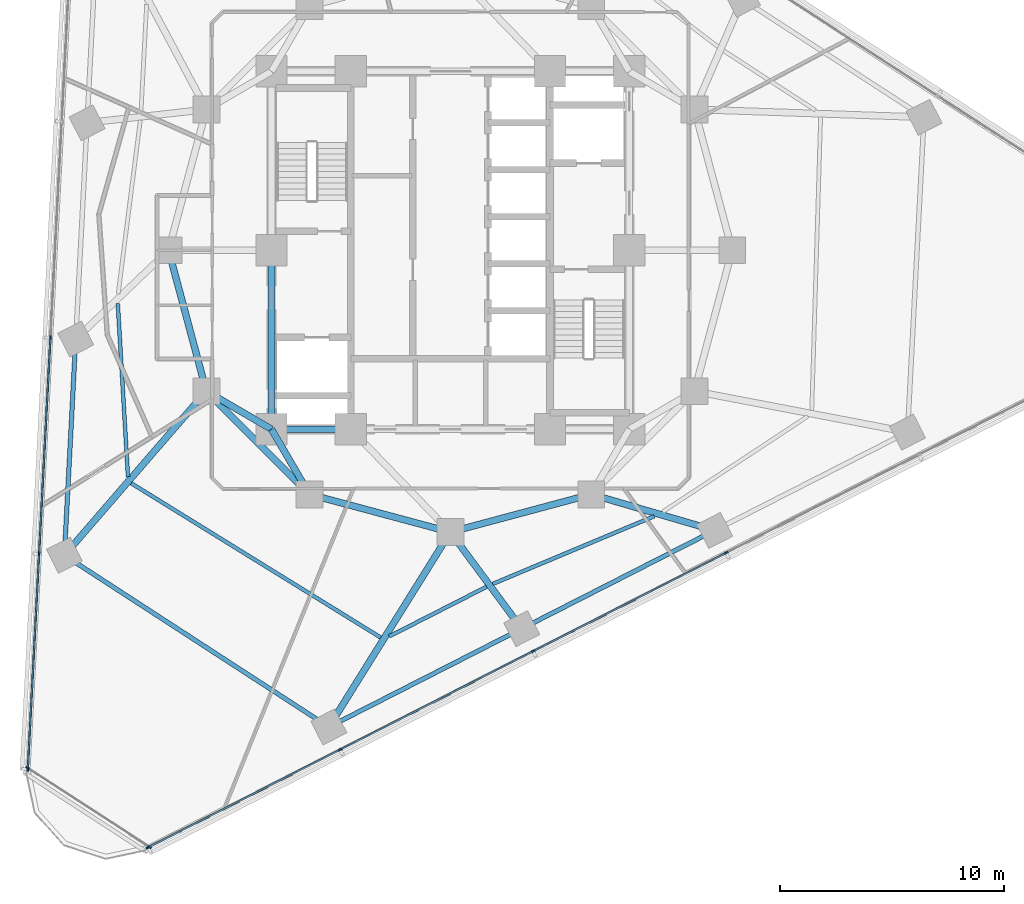
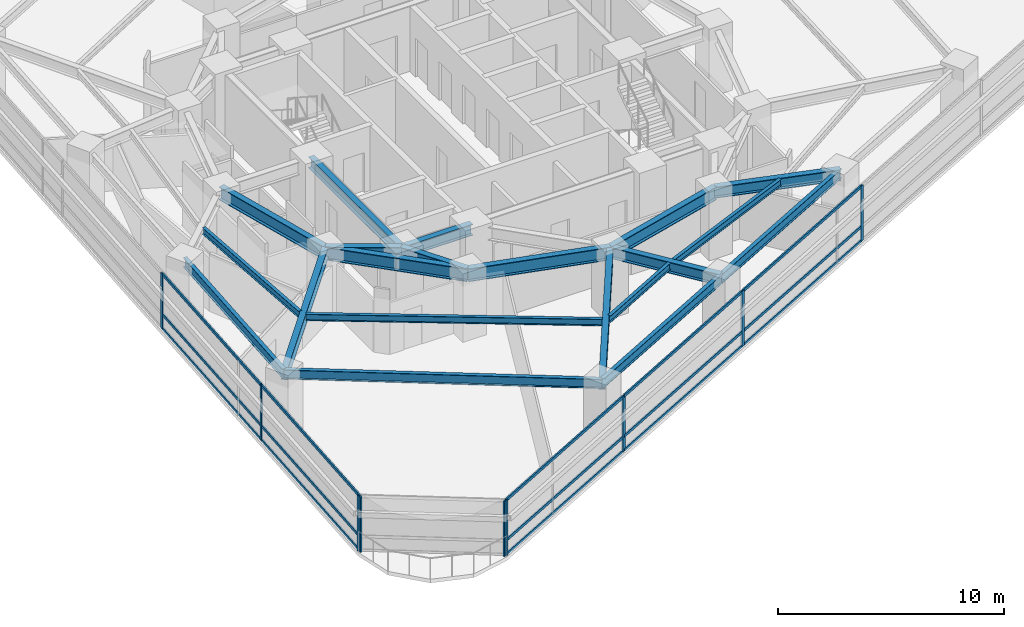
# One storey, part 2 of 14: 24 members, 20 beams, 3 elements without a shape of their own.
"""IFC4 building model written with IfcOpenShell, lengths in metres."""

from ifc_helpers import new_model, si_unit, direction, frame, origin, origin_2d, place, context, subcontext, project, spatial, rectangle, i_section, extrude, material, layer, layer_set, material_profile, profile_set, type_object, element, aggregate, save


model = new_model("IFC4")

# Units and contexts
model_context = context("Model", 3, precision=1e-05, world=origin(), true_north=direction((0.0, 1.0)))
body_context = subcontext(model_context, "Body", "Model", "MODEL_VIEW")
ifc_project = project(units=[si_unit("LENGTHUNIT", "METRE"), si_unit("AREAUNIT", "SQUARE_METRE"), si_unit("VOLUMEUNIT", "CUBIC_METRE"), si_unit("PLANEANGLEUNIT", "RADIAN"), si_unit("MASSUNIT", "GRAM", prefix="KILO")], contexts=[model_context])

# Site, building, storey
site_placement = place(None, origin())
site = spatial("IfcSite", under=ifc_project, at=site_placement, CompositionType="ELEMENT")
building_placement = place(site_placement, origin())
building = spatial("IfcBuilding", under=site, at=building_placement, Name="Terralouvre Media Tower", CompositionType="ELEMENT")
storey_placement = place(building_placement, frame((0.0, 0.0, 134.699951171875)))
storey = spatial("IfcBuildingStorey", under=building, at=storey_placement, Name="L34", CompositionType="ELEMENT", Elevation=134.699951171875)

# Beams
ifc_material_1 = material(Name="Structural steel S355J2", Category="steel")
ifc_material_profile_1 = material_profile(ifc_material_1, i_section(OverallWidth=0.169921875, OverallDepth=0.360107421875, WebThickness=0.008056640625, FlangeThickness=0.0126953125, at=origin_2d()), Name="IPE 360")
ifc_profile_set_1 = profile_set([ifc_material_profile_1], Name="Structural steel S355J2")
beam_type_1 = type_object("IfcBeamType", Name="Composite Floor Joist J-IPE360 (IPE 360)", PredefinedType="JOIST", material=ifc_profile_set_1)
beam_1_placement = place(storey_placement, frame((-14.872314453125, -2.377197265625, 3.320068359375), z_axis=(0.058878824525, -0.998265137137, 0.0), x_axis=(0.998265137137, 0.058878824525, 0.0)))
element("IfcBeam", 1, at=beam_1_placement, inside=storey, type_object=beam_type_1, Name="L34 Framing Beam JT-L34-01", PredefinedType="JOIST", context=body_context, shape_type="SweptSolid", body=[
    extrude(i_section(OverallWidth=0.169921875, OverallDepth=0.360107421875, WebThickness=0.008056640625, FlangeThickness=0.0126953125, at=origin_2d()), origin(), (0.0, 0.0, 1.0), 7.758056640625),
])
beam_2_placement = place(storey_placement, frame((-14.275390625, -10.413330078125, 3.320068359375), z_axis=(0.850512534705, -0.525954777818, 0.0), x_axis=(0.525954777818, 0.850512534705, 0.0)))
element("IfcBeam", 2, at=beam_2_placement, inside=storey, type_object=beam_type_1, Name="L34 Framing Beam JT-L34-02", PredefinedType="JOIST", context=body_context, shape_type="SweptSolid", body=[
    extrude(i_section(OverallWidth=0.169921875, OverallDepth=0.360107421875, WebThickness=0.008056640625, FlangeThickness=0.0126953125, at=origin_2d()), origin(), (0.0, 0.0, 1.0), 13.118896484375),
])
beam_3_placement = place(storey_placement, frame((-2.732666015625, -17.260986328125, 3.320068359375), z_axis=(0.891002879415, 0.453997652939, 0.0), x_axis=(-0.453997652939, 0.891002879415, 0.0)))
element("IfcBeam", 3, at=beam_3_placement, inside=storey, type_object=beam_type_1, Name="L34 Framing Beam JT-L34-03", PredefinedType="JOIST", context=body_context, shape_type="SweptSolid", body=[
    extrude(i_section(OverallWidth=0.169921875, OverallDepth=0.360107421875, WebThickness=0.008056640625, FlangeThickness=0.0126953125, at=origin_2d()), origin(), (0.0, 0.0, 1.0), 4.885009765625),
])
beam_4_placement = place(storey_placement, frame((1.89404296875, -14.916259765625, 3.320068359375), z_axis=(0.922254640504, 0.386582951085, 0.0), x_axis=(-0.386582951085, 0.922254640504, 0.0)))
element("IfcBeam", 4, at=beam_4_placement, inside=storey, type_object=beam_type_1, Name="L34 Framing Beam JT-L34-04", PredefinedType="JOIST", context=body_context, shape_type="SweptSolid", body=[
    extrude(i_section(OverallWidth=0.169921875, OverallDepth=0.360107421875, WebThickness=0.008056640625, FlangeThickness=0.0126953125, at=origin_2d()), origin(), (0.0, 0.0, 1.0), 7.8291015625),
])

# Curtain wall, members
ifc_material_2 = material(Name="Low-iron laminated double glazing with solar-control coating", Category="glass")
ifc_layer_1 = layer(ifc_material_2, 0.1650390625, Name="Production Studio Tower Curtain Wall CW-03")
ifc_layer_set_1 = layer_set([ifc_layer_1], Name="Low-iron laminated double glazing with solar-control coating")
curtain_wall_type_1 = type_object("IfcCurtainWallType", Name="Production Studio Tower Curtain Wall CW-03", PredefinedType="NOTDEFINED", material=ifc_layer_set_1)
curtain_wall_1_placement = place(storey_placement, origin())
curtain_wall_1 = element("IfcCurtainWall", 5, at=curtain_wall_1_placement, inside=storey, type_object=curtain_wall_type_1, Name="L34 Facade Curtain Wall F0", PredefinedType="NOTDEFINED")
ifc_material_3 = material(Name="Anodised extruded aluminium 6063-T6", Category="aluminium")
ifc_material_profile_2 = material_profile(ifc_material_3, rectangle(XDim=0.074951171875, YDim=0.14990234375, at=origin_2d()), Name="ALU 75x150")
ifc_profile_set_2 = profile_set([ifc_material_profile_2], Name="Anodised extruded aluminium 6063-T6")
member_type_1 = type_object("IfcMemberType", Name="Curtain-Wall Horizontal Transom TR-150", PredefinedType="USERDEFINED", material=ifc_profile_set_2)
member_1_placement = place(storey_placement, frame((-13.481689453125, -26.680419921875, 0.03759765625), z_axis=(0.891007557644, 0.453988471462, 0.0), x_axis=(-0.453988471462, 0.891007557644, 0.0)))
member_1 = element("IfcMember", 6, at=member_1_placement, type_object=member_type_1, Name="CW-03 transom 1.1", ObjectType="TRANSOM", PredefinedType="USERDEFINED", context=body_context, shape_type="SweptSolid", body=[
    extrude(rectangle(XDim=0.074951171875, YDim=0.14990234375, at=origin_2d()), origin(), (0.0, 0.0, 1.0), 9.5673828125),
])
member_2_placement = place(storey_placement, frame((-13.481689453125, -26.680419921875, 0.800048828125), z_axis=(0.891007557644, 0.453988471462, 0.0), x_axis=(-0.453988471462, 0.891007557644, 0.0)))
member_2 = element("IfcMember", 7, at=member_2_placement, type_object=member_type_1, Name="CW-03 transom 1.2", ObjectType="TRANSOM", PredefinedType="USERDEFINED", context=body_context, shape_type="SweptSolid", body=[
    extrude(rectangle(XDim=0.074951171875, YDim=0.14990234375, at=origin_2d()), origin(), (0.0, 0.0, 1.0), 9.5673828125),
])
member_3_placement = place(storey_placement, frame((-13.481689453125, -26.680419921875, 2.962646484375), z_axis=(0.891007557644, 0.453988471462, 0.0), x_axis=(-0.453988471462, 0.891007557644, 0.0)))
member_3 = element("IfcMember", 8, at=member_3_placement, type_object=member_type_1, Name="CW-03 transom 1.3", ObjectType="TRANSOM", PredefinedType="USERDEFINED", context=body_context, shape_type="SweptSolid", body=[
    extrude(rectangle(XDim=0.074951171875, YDim=0.14990234375, at=origin_2d()), origin(), (0.0, 0.0, 1.0), 9.5673828125),
])
member_4_placement = place(storey_placement, frame((-4.89013671875, -22.302978515625, 0.03759765625), z_axis=(0.891005548508, 0.453992414615, 0.0), x_axis=(-0.453992414615, 0.891005548508, 0.0)))
member_4 = element("IfcMember", 9, at=member_4_placement, type_object=member_type_1, Name="CW-03 transom 2.1", ObjectType="TRANSOM", PredefinedType="USERDEFINED", context=body_context, shape_type="SweptSolid", body=[
    extrude(rectangle(XDim=0.074951171875, YDim=0.14990234375, at=origin_2d()), origin(), (0.0, 0.0, 1.0), 9.60498046875),
])
member_5_placement = place(storey_placement, frame((-4.89013671875, -22.302978515625, 0.800048828125), z_axis=(0.891005548508, 0.453992414615, 0.0), x_axis=(-0.453992414615, 0.891005548508, 0.0)))
member_5 = element("IfcMember", 10, at=member_5_placement, type_object=member_type_1, Name="CW-03 transom 2.2", ObjectType="TRANSOM", PredefinedType="USERDEFINED", context=body_context, shape_type="SweptSolid", body=[
    extrude(rectangle(XDim=0.074951171875, YDim=0.14990234375, at=origin_2d()), origin(), (0.0, 0.0, 1.0), 9.60498046875),
])
member_6_placement = place(storey_placement, frame((-4.89013671875, -22.302978515625, 2.962646484375), z_axis=(0.891005548508, 0.453992414615, 0.0), x_axis=(-0.453992414615, 0.891005548508, 0.0)))
member_6 = element("IfcMember", 11, at=member_6_placement, type_object=member_type_1, Name="CW-03 transom 2.3", ObjectType="TRANSOM", PredefinedType="USERDEFINED", context=body_context, shape_type="SweptSolid", body=[
    extrude(rectangle(XDim=0.074951171875, YDim=0.14990234375, at=origin_2d()), origin(), (0.0, 0.0, 1.0), 9.60498046875),
])
member_7_placement = place(storey_placement, frame((3.734619140625, -17.908203125, 0.03759765625), z_axis=(0.891005548508, 0.453992414615, 0.0), x_axis=(-0.453992414615, 0.891005548508, 0.0)))
member_7 = element("IfcMember", 12, at=member_7_placement, type_object=member_type_1, Name="CW-03 transom 3.1", ObjectType="TRANSOM", PredefinedType="USERDEFINED", context=body_context, shape_type="SweptSolid", body=[
    extrude(rectangle(XDim=0.074951171875, YDim=0.14990234375, at=origin_2d()), origin(), (0.0, 0.0, 1.0), 9.60498046875),
])
member_8_placement = place(storey_placement, frame((3.734619140625, -17.908203125, 0.800048828125), z_axis=(0.891005548508, 0.453992414615, 0.0), x_axis=(-0.453992414615, 0.891005548508, 0.0)))
member_8 = element("IfcMember", 13, at=member_8_placement, type_object=member_type_1, Name="CW-03 transom 3.2", ObjectType="TRANSOM", PredefinedType="USERDEFINED", context=body_context, shape_type="SweptSolid", body=[
    extrude(rectangle(XDim=0.074951171875, YDim=0.14990234375, at=origin_2d()), origin(), (0.0, 0.0, 1.0), 9.60498046875),
])
member_9_placement = place(storey_placement, frame((3.734619140625, -17.908203125, 2.962646484375), z_axis=(0.891005548508, 0.453992414615, 0.0), x_axis=(-0.453992414615, 0.891005548508, 0.0)))
member_9 = element("IfcMember", 14, at=member_9_placement, type_object=member_type_1, Name="CW-03 transom 3.3", ObjectType="TRANSOM", PredefinedType="USERDEFINED", context=body_context, shape_type="SweptSolid", body=[
    extrude(rectangle(XDim=0.074951171875, YDim=0.14990234375, at=origin_2d()), origin(), (0.0, 0.0, 1.0), 9.60498046875),
])

curtain_wall_2_placement = place(storey_placement, origin())
curtain_wall_2 = element("IfcCurtainWall", 15, at=curtain_wall_2_placement, inside=storey, type_object=curtain_wall_type_1, Name="L34 Facade Curtain Wall F2", PredefinedType="NOTDEFINED")
member_10_placement = place(storey_placement, frame((-17.883056640625, -3.947021484375, 0.03759765625), z_axis=(-0.052336036535, -0.998629530547, 0.0), x_axis=(0.998629530547, -0.052336036535, 0.0)))
member_10 = element("IfcMember", 16, at=member_10_placement, type_object=member_type_1, Name="CW-03 transom 4.1", ObjectType="TRANSOM", PredefinedType="USERDEFINED", context=body_context, shape_type="SweptSolid", body=[
    extrude(rectangle(XDim=0.074951171875, YDim=0.14990234375, at=origin_2d()), origin(), (0.0, 0.0, 1.0), 9.60498046875),
])
member_11_placement = place(storey_placement, frame((-17.883056640625, -3.947021484375, 0.800048828125), z_axis=(-0.052336036535, -0.998629530547, 0.0), x_axis=(0.998629530547, -0.052336036535, 0.0)))
member_11 = element("IfcMember", 17, at=member_11_placement, type_object=member_type_1, Name="CW-03 transom 4.2", ObjectType="TRANSOM", PredefinedType="USERDEFINED", context=body_context, shape_type="SweptSolid", body=[
    extrude(rectangle(XDim=0.074951171875, YDim=0.14990234375, at=origin_2d()), origin(), (0.0, 0.0, 1.0), 9.60498046875),
])
member_12_placement = place(storey_placement, frame((-17.883056640625, -3.947021484375, 2.962646484375), z_axis=(-0.052336036535, -0.998629530547, 0.0), x_axis=(0.998629530547, -0.052336036535, 0.0)))
member_12 = element("IfcMember", 18, at=member_12_placement, type_object=member_type_1, Name="CW-03 transom 4.3", ObjectType="TRANSOM", PredefinedType="USERDEFINED", context=body_context, shape_type="SweptSolid", body=[
    extrude(rectangle(XDim=0.074951171875, YDim=0.14990234375, at=origin_2d()), origin(), (0.0, 0.0, 1.0), 9.60498046875),
])
member_13_placement = place(storey_placement, frame((-18.3896484375, -13.61376953125, 0.03759765625), z_axis=(-0.052336504837, -0.998629506004, 0.0), x_axis=(0.998629506004, -0.052336504837, 0.0)))
member_13 = element("IfcMember", 19, at=member_13_placement, type_object=member_type_1, Name="CW-03 transom 5.1", ObjectType="TRANSOM", PredefinedType="USERDEFINED", context=body_context, shape_type="SweptSolid", body=[
    extrude(rectangle(XDim=0.074951171875, YDim=0.14990234375, at=origin_2d()), origin(), (0.0, 0.0, 1.0), 9.567626953125),
])
member_14_placement = place(storey_placement, frame((-18.3896484375, -13.61376953125, 0.800048828125), z_axis=(-0.052336504837, -0.998629506004, 0.0), x_axis=(0.998629506004, -0.052336504837, 0.0)))
member_14 = element("IfcMember", 20, at=member_14_placement, type_object=member_type_1, Name="CW-03 transom 5.2", ObjectType="TRANSOM", PredefinedType="USERDEFINED", context=body_context, shape_type="SweptSolid", body=[
    extrude(rectangle(XDim=0.074951171875, YDim=0.14990234375, at=origin_2d()), origin(), (0.0, 0.0, 1.0), 9.567626953125),
])
member_15_placement = place(storey_placement, frame((-18.3896484375, -13.61376953125, 2.962646484375), z_axis=(-0.052336504837, -0.998629506004, 0.0), x_axis=(0.998629506004, -0.052336504837, 0.0)))
member_15 = element("IfcMember", 21, at=member_15_placement, type_object=member_type_1, Name="CW-03 transom 5.3", ObjectType="TRANSOM", PredefinedType="USERDEFINED", context=body_context, shape_type="SweptSolid", body=[
    extrude(rectangle(XDim=0.074951171875, YDim=0.14990234375, at=origin_2d()), origin(), (0.0, 0.0, 1.0), 9.567626953125),
])

# Member
ifc_material_4 = material(Name="Anodised extruded aluminium 6063-T6", Category="aluminium")
ifc_material_profile_3 = material_profile(ifc_material_4, rectangle(XDim=0.074951171875, YDim=0.179931640625, at=origin_2d()), Name="ALU 75x180")
ifc_profile_set_3 = profile_set([ifc_material_profile_3], Name="Anodised extruded aluminium 6063-T6")
member_type_2 = type_object("IfcMemberType", Name="Curtain-Wall Vertical Mullion ML-180", PredefinedType="MULLION", material=ifc_profile_set_3)
member_16_placement = place(storey_placement, frame((-13.51513671875, -26.697509765625, 0.0), z_axis=(0.0, 0.0, 1.0), x_axis=(-0.4539905449, 0.891006501178, 0.0)))
member_16 = element("IfcMember", 22, at=member_16_placement, type_object=member_type_2, Name="CW-03 mullion 1", PredefinedType="MULLION", context=body_context, shape_type="SweptSolid", body=[
    extrude(rectangle(XDim=0.074951171875, YDim=0.179931640625, at=origin_2d()), origin(), (0.0, 0.0, 1.0), 3.0),
])

member_17_placement = place(storey_placement, frame((-4.923583984375, -22.31982421875, 0.0), z_axis=(0.0, 0.0, 1.0), x_axis=(-0.4539905449, 0.891006501178, 0.0)))
member_17 = element("IfcMember", 23, at=member_17_placement, type_object=member_type_2, Name="CW-03 mullion 2", PredefinedType="MULLION", context=body_context, shape_type="SweptSolid", body=[
    extrude(rectangle(XDim=0.074951171875, YDim=0.179931640625, at=origin_2d()), origin(), (0.0, 0.0, 1.0), 3.0),
])

member_18_placement = place(storey_placement, frame((3.701416015625, -17.92529296875, 0.0), z_axis=(0.0, 0.0, 1.0), x_axis=(-0.4539905449, 0.891006501178, 0.0)))
member_18 = element("IfcMember", 24, at=member_18_placement, type_object=member_type_2, Name="CW-03 mullion 3", PredefinedType="MULLION", context=body_context, shape_type="SweptSolid", body=[
    extrude(rectangle(XDim=0.074951171875, YDim=0.179931640625, at=origin_2d()), origin(), (0.0, 0.0, 1.0), 3.0),
])

member_19_placement = place(storey_placement, frame((12.326171875, -13.530517578125, 0.0), z_axis=(0.0, 0.0, 1.0), x_axis=(-0.4539905449, 0.891006501178, 0.0)))
member_19 = element("IfcMember", 25, at=member_19_placement, type_object=member_type_2, Name="CW-03 mullion 4", PredefinedType="MULLION", context=body_context, shape_type="SweptSolid", body=[
    extrude(rectangle(XDim=0.074951171875, YDim=0.179931640625, at=origin_2d()), origin(), (0.0, 0.0, 1.0), 3.0),
])

aggregate(curtain_wall_1, [member_16, member_17, member_18, member_19, member_1, member_2, member_3, member_4, member_5, member_6, member_7, member_8, member_9])

member_20_placement = place(storey_placement, frame((-17.881103515625, -3.909423828125, 0.0), z_axis=(0.0, 0.0, 1.0), x_axis=(0.998629535089, -0.052335949864, 0.0)))
member_20 = element("IfcMember", 26, at=member_20_placement, type_object=member_type_2, Name="CW-03 mullion 4", PredefinedType="MULLION", context=body_context, shape_type="SweptSolid", body=[
    extrude(rectangle(XDim=0.074951171875, YDim=0.179931640625, at=origin_2d()), origin(), (0.0, 0.0, 1.0), 3.0),
])

member_21_placement = place(storey_placement, frame((-18.3876953125, -13.576171875, 0.0), z_axis=(0.0, 0.0, 1.0), x_axis=(0.998629535089, -0.052335949864, 0.0)))
member_21 = element("IfcMember", 27, at=member_21_placement, type_object=member_type_2, Name="CW-03 mullion 5", PredefinedType="MULLION", context=body_context, shape_type="SweptSolid", body=[
    extrude(rectangle(XDim=0.074951171875, YDim=0.179931640625, at=origin_2d()), origin(), (0.0, 0.0, 1.0), 3.0),
])

member_22_placement = place(storey_placement, frame((-18.892333984375, -23.20556640625, 0.0), z_axis=(0.0, 0.0, 1.0), x_axis=(0.998629535089, -0.052335949864, 0.0)))
member_22 = element("IfcMember", 28, at=member_22_placement, type_object=member_type_2, Name="CW-03 mullion 6", PredefinedType="MULLION", context=body_context, shape_type="SweptSolid", body=[
    extrude(rectangle(XDim=0.074951171875, YDim=0.179931640625, at=origin_2d()), origin(), (0.0, 0.0, 1.0), 3.0),
])

aggregate(curtain_wall_2, [member_20, member_21, member_22, member_10, member_11, member_12, member_13, member_14, member_15])

# Curtain wall, members
ifc_material_5 = material(Name="Low-iron laminated double glazing with solar-control coating", Category="glass")
ifc_layer_2 = layer(ifc_material_5, 0.1650390625, Name="Rounded Wind-Corner Curved Glazing CW-04")
ifc_layer_set_2 = layer_set([ifc_layer_2], Name="Low-iron laminated double glazing with solar-control coating")
curtain_wall_type_2 = type_object("IfcCurtainWallType", Name="Rounded Wind-Corner Curved Glazing CW-04", PredefinedType="NOTDEFINED", material=ifc_layer_set_2)
curtain_wall_3_placement = place(storey_placement, origin())
curtain_wall_3 = element("IfcCurtainWall", 29, at=curtain_wall_3_placement, inside=storey, type_object=curtain_wall_type_2, Name="L34 Rounded Wind-Corner Curtain Wall C0", PredefinedType="NOTDEFINED")
member_23_placement = place(storey_placement, frame((-18.90625, -23.1396484375, 0.0), z_axis=(0.0, 0.0, 1.0), x_axis=(0.544639308152, 0.838670390568, 0.0)))
member_23 = element("IfcMember", 30, at=member_23_placement, type_object=member_type_2, Name="CW-04 mullion 1", PredefinedType="MULLION", context=body_context, shape_type="SweptSolid", body=[
    extrude(rectangle(XDim=0.074951171875, YDim=0.179931640625, at=origin_2d()), origin(), (0.0, 0.0, 1.0), 3.0),
])
member_24_placement = place(storey_placement, frame((-13.44921875, -26.68359375, 0.0), z_axis=(0.0, 0.0, 1.0), x_axis=(0.544639308152, 0.838670390568, 0.0)))
member_24 = element("IfcMember", 31, at=member_24_placement, type_object=member_type_2, Name="CW-04 mullion 2", PredefinedType="MULLION", context=body_context, shape_type="SweptSolid", body=[
    extrude(rectangle(XDim=0.074951171875, YDim=0.179931640625, at=origin_2d()), origin(), (0.0, 0.0, 1.0), 3.0),
])
aggregate(curtain_wall_3, [member_23, member_24])

# Beams
ifc_material_6 = material(Name="Structural steel S355J2", Category="steel")
ifc_material_profile_4 = material_profile(ifc_material_6, i_section(OverallWidth=0.199951171875, OverallDepth=0.5, WebThickness=0.01025390625, FlangeThickness=0.01611328125, at=origin_2d()), Name="IPE 500")
ifc_profile_set_4 = profile_set([ifc_material_profile_4], Name="Structural steel S355J2")
beam_type_2 = type_object("IfcBeamType", Name="Perimeter Spandrel Beam SPB-500 (IPE 500)", PredefinedType="SPANDREL", material=ifc_profile_set_4)
beam_5_placement = place(storey_placement, frame((-16.75244140625, -3.96875, 3.25), z_axis=(-0.052333792648, -0.998629648141, 0.0), x_axis=(0.998629648141, -0.052333792648, 0.0)))
element("IfcBeam", 32, at=beam_5_placement, inside=storey, type_object=beam_type_2, Name="L34 Framing Beam BM-L34-PR01", PredefinedType="SPANDREL", context=body_context, shape_type="SweptSolid", body=[
    extrude(i_section(OverallWidth=0.199951171875, OverallDepth=0.5, WebThickness=0.01025390625, FlangeThickness=0.01611328125, at=origin_2d()), origin(), (0.0, 0.0, 1.0), 9.679931640625),
])
beam_6_placement = place(storey_placement, frame((-17.259033203125, -13.635498046875, 3.25), z_axis=(0.838675019369, -0.544632180363, 0.0), x_axis=(0.544632180363, 0.838675019369, 0.0)))
element("IfcBeam", 33, at=beam_6_placement, inside=storey, type_object=beam_type_2, Name="L34 Framing Beam BM-L34-PR02", PredefinedType="SPANDREL", context=body_context, shape_type="SweptSolid", body=[
    extrude(i_section(OverallWidth=0.199951171875, OverallDepth=0.5, WebThickness=0.01025390625, FlangeThickness=0.01611328125, at=origin_2d()), origin(), (0.0, 0.0, 1.0), 14.0966796875),
])
beam_7_placement = place(storey_placement, frame((-5.4365234375, -21.31298828125, 3.25), z_axis=(0.891006580855, 0.453990388524, 0.0), x_axis=(-0.453990388524, 0.891006580855, 0.0)))
element("IfcBeam", 34, at=beam_7_placement, inside=storey, type_object=beam_type_2, Name="L34 Framing Beam BM-L34-PR03", PredefinedType="SPANDREL", context=body_context, shape_type="SweptSolid", body=[
    extrude(i_section(OverallWidth=0.199951171875, OverallDepth=0.5, WebThickness=0.01025390625, FlangeThickness=0.01611328125, at=origin_2d()), origin(), (0.0, 0.0, 1.0), 9.6796875),
])
beam_8_placement = place(storey_placement, frame((3.188232421875, -16.91845703125, 3.25), z_axis=(0.891001576959, 0.454000209093, 0.0), x_axis=(-0.454000209093, 0.891001576959, 0.0)))
element("IfcBeam", 35, at=beam_8_placement, inside=storey, type_object=beam_type_2, Name="L34 Framing Beam BM-L34-PR04", PredefinedType="SPANDREL", context=body_context, shape_type="SweptSolid", body=[
    extrude(i_section(OverallWidth=0.199951171875, OverallDepth=0.5, WebThickness=0.01025390625, FlangeThickness=0.01611328125, at=origin_2d()), origin(), (0.0, 0.0, 1.0), 9.68017578125),
])
ifc_material_7 = material(Name="Structural steel S460M", Category="steel")
ifc_material_profile_5 = material_profile(ifc_material_7, i_section(OverallWidth=0.300048828125, OverallDepth=0.60009765625, WebThickness=0.015380859375, FlangeThickness=0.030029296875, at=origin_2d()), Name="HEB 600")
ifc_profile_set_5 = profile_set([ifc_material_profile_5], Name="Structural steel S460M")
beam_type_3 = type_object("IfcBeamType", Name="Primary Floor Girder B-HEB600 (HEB 600)", PredefinedType="BEAM", material=ifc_profile_set_5)
beam_9_placement = place(storey_placement, frame((-8.0, -8.0, 3.199951171875), z_axis=(1.0, 0.0, 0.0), x_axis=(0.0, 1.0, 0.0)))
element("IfcBeam", 36, at=beam_9_placement, inside=storey, type_object=beam_type_3, Name="L34 Framing Beam BM-L34-CPR01", PredefinedType="BEAM", context=body_context, shape_type="SweptSolid", body=[
    extrude(i_section(OverallWidth=0.300048828125, OverallDepth=0.60009765625, WebThickness=0.015380859375, FlangeThickness=0.030029296875, at=origin_2d()), origin(), (0.0, 0.0, 1.0), 3.550048828125),
])
beam_10_placement = place(storey_placement, frame((-8.0, 0.0, 3.199951171875), z_axis=(0.0, -1.0, 0.0), x_axis=(1.0, 0.0, 0.0)))
element("IfcBeam", 37, at=beam_10_placement, inside=storey, type_object=beam_type_3, Name="L34 Framing Beam BM-L34-CPR10", PredefinedType="BEAM", context=body_context, shape_type="SweptSolid", body=[
    extrude(i_section(OverallWidth=0.300048828125, OverallDepth=0.60009765625, WebThickness=0.015380859375, FlangeThickness=0.030029296875, at=origin_2d()), origin(), (0.0, 0.0, 1.0), 8.0),
])
beam_11_placement = place(storey_placement, frame((-10.911865234375, -6.300048828125, 3.199951171875), z_axis=(-0.654328588351, -0.756210353319, 0.0), x_axis=(0.756210353319, -0.654328588351, 0.0)))
element("IfcBeam", 38, at=beam_11_placement, inside=storey, type_object=beam_type_3, Name="L34 Framing Beam BM-L34-RD02", PredefinedType="BEAM", context=body_context, shape_type="SweptSolid", body=[
    extrude(i_section(OverallWidth=0.300048828125, OverallDepth=0.60009765625, WebThickness=0.015380859375, FlangeThickness=0.030029296875, at=origin_2d()), origin(), (0.0, 0.0, 1.0), 9.7001953125),
])
beam_12_placement = place(storey_placement, frame((0.0, -12.60009765625, 3.199951171875), z_axis=(-0.529366283505, -0.848393386282, 0.0), x_axis=(0.848393386282, -0.529366283505, 0.0)))
element("IfcBeam", 39, at=beam_12_placement, inside=storey, type_object=beam_type_3, Name="L34 Framing Beam BM-L34-RD03", PredefinedType="BEAM", context=body_context, shape_type="SweptSolid", body=[
    extrude(i_section(OverallWidth=0.300048828125, OverallDepth=0.60009765625, WebThickness=0.015380859375, FlangeThickness=0.030029296875, at=origin_2d()), origin(), (0.0, 0.0, 1.0), 10.269775390625),
])
beam_13_placement = place(storey_placement, frame((0.0, -12.60009765625, 3.199951171875), z_axis=(0.593957444229, -0.804496460182, 0.0), x_axis=(0.804496460182, 0.593957444229, 0.0)))
element("IfcBeam", 40, at=beam_13_placement, inside=storey, type_object=beam_type_3, Name="L34 Framing Beam BM-L34-RD04", PredefinedType="BEAM", context=body_context, shape_type="SweptSolid", body=[
    extrude(i_section(OverallWidth=0.300048828125, OverallDepth=0.60009765625, WebThickness=0.015380859375, FlangeThickness=0.030029296875, at=origin_2d()), origin(), (0.0, 0.0, 1.0), 5.36767578125),
])
beam_14_placement = place(storey_placement, frame((6.300048828125, -10.911865234375, 3.199951171875), z_axis=(0.959821765834, -0.280610366577, 0.0), x_axis=(0.280610366577, 0.959821765834, 0.0)))
element("IfcBeam", 41, at=beam_14_placement, inside=storey, type_object=beam_type_3, Name="L34 Framing Beam BM-L34-RD05", PredefinedType="BEAM", context=body_context, shape_type="SweptSolid", body=[
    extrude(i_section(OverallWidth=0.300048828125, OverallDepth=0.60009765625, WebThickness=0.015380859375, FlangeThickness=0.030029296875, at=origin_2d()), origin(), (0.0, 0.0, 1.0), 5.743896484375),
])
ifc_material_8 = material(Name="Structural steel S460M", Category="steel")
ifc_material_profile_6 = material_profile(ifc_material_8, i_section(OverallWidth=0.300048828125, OverallDepth=0.699951171875, WebThickness=0.01708984375, FlangeThickness=0.031982421875, at=origin_2d()), Name="HEB 700")
ifc_profile_set_6 = profile_set([ifc_material_profile_6], Name="Structural steel S460M")
beam_type_4 = type_object("IfcBeamType", Name="Primary Floor Girder B-HEB700 (HEB 700)", PredefinedType="BEAM", material=ifc_profile_set_6)
beam_15_placement = place(storey_placement, frame((-10.911865234375, -6.300048828125, 3.150146484375), z_axis=(0.707106781187, -0.707106781187, 0.0), x_axis=(0.707106781187, 0.707106781187, 0.0)))
element("IfcBeam", 42, at=beam_15_placement, inside=storey, type_object=beam_type_4, Name="L34 Framing Beam BM-L34-MR01", PredefinedType="BEAM", context=body_context, shape_type="SweptSolid", body=[
    extrude(i_section(OverallWidth=0.300048828125, OverallDepth=0.699951171875, WebThickness=0.01708984375, FlangeThickness=0.031982421875, at=origin_2d()), origin(), (0.0, 0.0, 1.0), 6.52197265625),
])
for number, where, z_axis, x_axis, name in (
    (43, (-6.300048828125, -10.911865234375, 3.150146484375), (0.965920481897, -0.258838989821, 0.0), (0.258838989821, 0.965920481897, 0.0), "L34 Framing Beam BM-L34-MR02"),
    (44, (0.0, -12.60009765625, 3.150146484375), (0.965920481897, 0.258838989821, 0.0), (-0.258838989821, 0.965920481897, 0.0), "L34 Framing Beam BM-L34-MR03"),
    (45, (-12.60009765625, 0.0, 3.150146484375), (0.258838989821, -0.965920481897, 0.0), (0.965920481897, 0.258838989821, 0.0), "L34 Framing Beam BM-L34-MR12"),
):
    element("IfcBeam", number, at=place(storey_placement, frame(where, z_axis=z_axis, x_axis=x_axis)), inside=storey, type_object=beam_type_4, Name=name, PredefinedType="BEAM", context=body_context, shape_type="SweptSolid", body=[
        extrude(i_section(OverallWidth=0.300048828125, OverallDepth=0.699951171875, WebThickness=0.01708984375, FlangeThickness=0.031982421875, at=origin_2d()), origin(), (0.0, 0.0, 1.0), 6.522216796875),
    ])
for number, where, z_axis, x_axis, name in (
    (46, (-8.0, -8.0, 3.150146484375), (-0.863602894532, 0.504172629717, 0.0), (-0.504172629717, -0.863602894532, 0.0), "L34 Framing Beam BM-L34-CM01"),
    (47, (-8.0, -8.0, 3.150146484375), (0.504172629717, -0.863602894532, 0.0), (0.863602894532, 0.504172629717, 0.0), "L34 Framing Beam BM-L34-CM02"),
):
    element("IfcBeam", number, at=place(storey_placement, frame(where, z_axis=z_axis, x_axis=x_axis)), inside=storey, type_object=beam_type_4, Name=name, PredefinedType="BEAM", context=body_context, shape_type="SweptSolid", body=[
        extrude(i_section(OverallWidth=0.300048828125, OverallDepth=0.699951171875, WebThickness=0.01708984375, FlangeThickness=0.031982421875, at=origin_2d()), origin(), (0.0, 0.0, 1.0), 3.371826171875),
    ])

save(model, "model.ifc")
